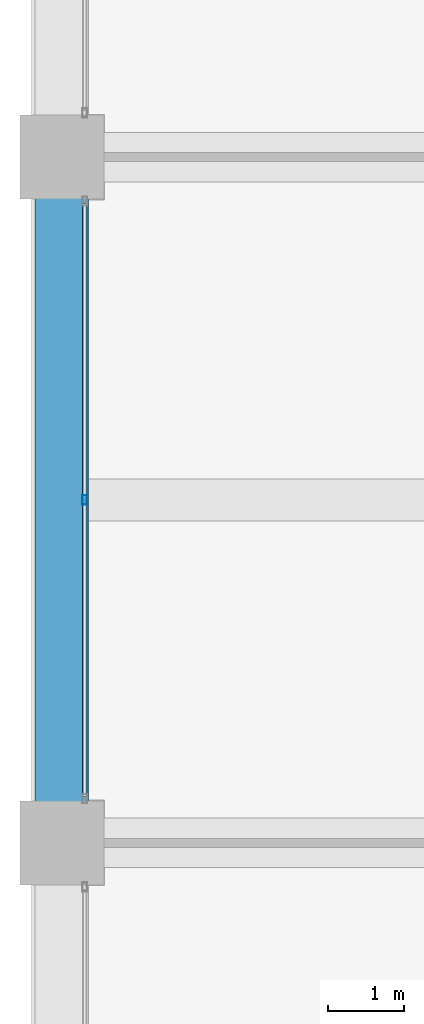
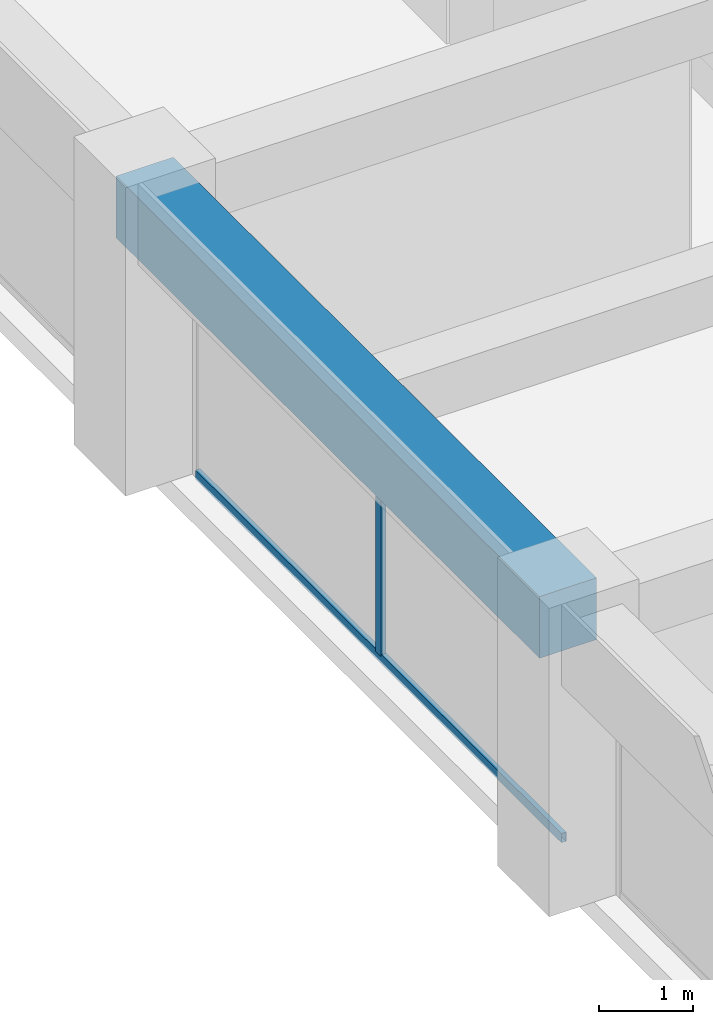
# One storey, part 14 of 44: 2 members, 1 beam, 1 element without a shape of its own.
"""IFC4 building model written with IfcOpenShell, lengths in metres."""

from ifc_helpers import new_model, si_unit, direction, frame, origin, origin_2d, place, context, subcontext, project, spatial, rectangle, hollow_rectangle, extrude, material, material_profile, profile_set, type_object, element, aggregate, save


model = new_model("IFC4")

# Units and contexts
model_context = context("Model", 3, precision=1e-05, world=origin(), true_north=direction((0.0, 1.0)))
body_context = subcontext(model_context, "Body", "Model", "MODEL_VIEW")
ifc_project = project(units=[si_unit("LENGTHUNIT", "METRE"), si_unit("AREAUNIT", "SQUARE_METRE"), si_unit("VOLUMEUNIT", "CUBIC_METRE"), si_unit("PLANEANGLEUNIT", "RADIAN"), si_unit("MASSUNIT", "GRAM", prefix="KILO")], contexts=[model_context])

# Site, building, storey
site_placement = place(None, origin())
site = spatial("IfcSite", under=ifc_project, at=site_placement, CompositionType="ELEMENT")
building_placement = place(site_placement, origin())
building = spatial("IfcBuilding", under=site, at=building_placement, Name="Zorevar Civic Tower", CompositionType="ELEMENT")
storey_placement = place(building_placement, frame((0.0, 0.0, 283.39990234375)))
storey = spatial("IfcBuildingStorey", under=building, at=storey_placement, Name="L69", CompositionType="ELEMENT", Elevation=283.39990234375)

# Curtain wall, members
ifc_material_1 = material(Name="Dark grey solar-control glass in black aluminium frame", Category="aluminium")
curtain_wall_type = type_object("IfcCurtainWallType", Name="Curtain wall CW5 top zone", PredefinedType="NOTDEFINED", material=ifc_material_1)
curtain_wall_placement = place(storey_placement, origin())
curtain_wall = element("IfcCurtainWall", 1, at=curtain_wall_placement, inside=storey, type_object=curtain_wall_type, Name="CW5 L69", PredefinedType="NOTDEFINED")
ifc_material_2 = material(Name="Aluminium, black anodised", Category="aluminium")
ifc_material_profile_1 = material_profile(ifc_material_2, hollow_rectangle(XDim=0.06005859375, YDim=0.1201171875, WallThickness=0.0029296875, at=origin_2d()), Name="AL 120x60x3")
ifc_profile_set_1 = profile_set([ifc_material_profile_1], Name="Aluminium, black anodised")
member_type_1 = type_object("IfcMemberType", Name="CW5 mullion AL 120x60x3", PredefinedType="MULLION", material=ifc_profile_set_1)
member_1_placement = place(storey_placement, frame((9.300048828125, 22.5, 0.06005859375), z_axis=(0.0, 0.0, 1.0), x_axis=(-1.0, 0.0, 0.0)))
member_1 = element("IfcMember", 2, at=member_1_placement, type_object=member_type_1, Name="CW5 mullion 2", PredefinedType="MULLION", context=body_context, shape_type="SweptSolid", body=[
    extrude(hollow_rectangle(XDim=0.06005859375, YDim=0.1201171875, WallThickness=0.0029296875, at=origin_2d()), origin(), (0.0, 0.0, 1.0), 2.89013671875),
])
ifc_material_3 = material(Name="Aluminium, black anodised", Category="aluminium")
ifc_material_profile_2 = material_profile(ifc_material_3, hollow_rectangle(XDim=0.06005859375, YDim=0.1201171875, WallThickness=0.0029296875, at=origin_2d()), Name="AL 120x60x3")
ifc_profile_set_2 = profile_set([ifc_material_profile_2], Name="Aluminium, black anodised")
member_type_2 = type_object("IfcMemberType", Name="CW5 transom AL 120x60x3", PredefinedType="USERDEFINED", material=ifc_profile_set_2)
member_2_placement = place(storey_placement, frame((9.300048828125, 18.610107421875, 0.030029296875), z_axis=(0.0, 1.0, 0.0), x_axis=(-1.0, 0.0, 0.0)))
member_2 = element("IfcMember", 3, at=member_2_placement, type_object=member_type_2, Name="CW5 sill transom", ObjectType="TRANSOM", PredefinedType="USERDEFINED", context=body_context, shape_type="SweptSolid", body=[
    extrude(hollow_rectangle(XDim=0.06005859375, YDim=0.1201171875, WallThickness=0.0029296875, at=origin_2d()), origin(), (0.0, 0.0, 1.0), 7.77978515625),
])
aggregate(curtain_wall, [member_1, member_2])

# Beam
ifc_material_4 = material(Name="Concrete C50/60", Category="concrete")
ifc_material_profile_3 = material_profile(ifc_material_4, rectangle(XDim=0.699951171875, YDim=0.800048828125, at=origin_2d()), Name="RC 700x800")
ifc_profile_set_3 = profile_set([ifc_material_profile_3], Name="Concrete C50/60")
beam_type = type_object("IfcBeamType", Name="Edge beam RC 700x800", PredefinedType="SPANDREL", material=ifc_profile_set_3)
beam_placement = place(storey_placement, frame((9.0, 18.0, 3.35009765625), z_axis=(0.0, 1.0, 0.0), x_axis=(-1.0, 0.0, 0.0)))
element("IfcBeam", 4, at=beam_placement, inside=storey, type_object=beam_type, Name="Edge beam L70", PredefinedType="SPANDREL", context=body_context, shape_type="SweptSolid", body=[
    extrude(rectangle(XDim=0.699951171875, YDim=0.800048828125, at=origin_2d()), origin(), (0.0, 0.0, 1.0), 9.0),
])

save(model, "model.ifc")
